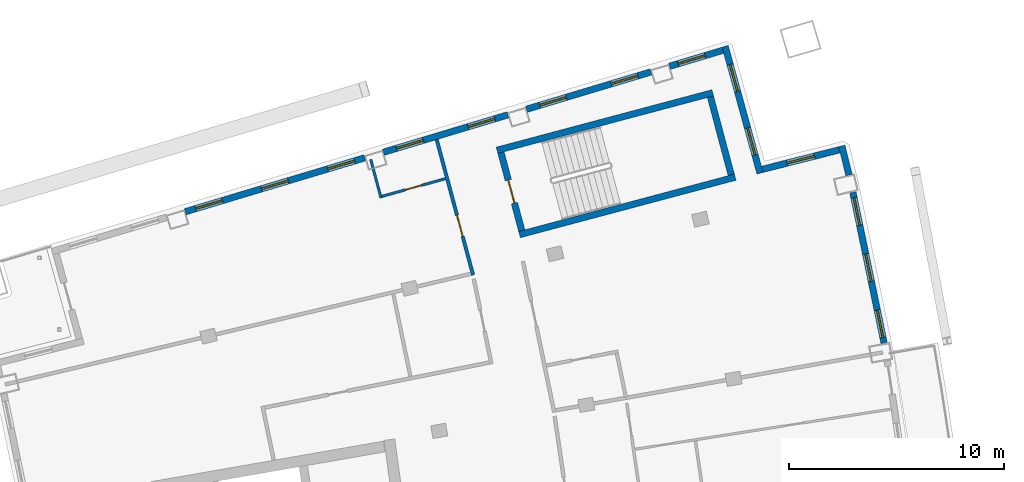
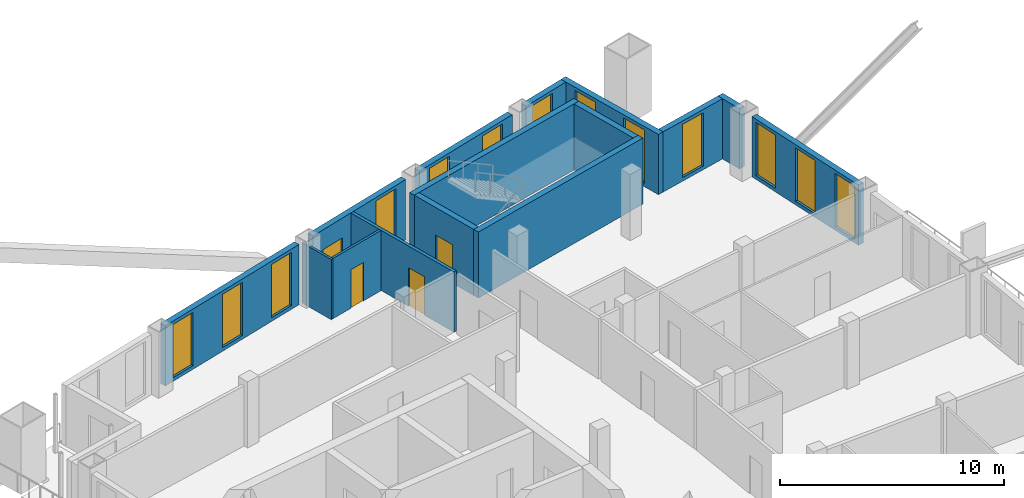
# One storey, part 13 of 17: 15 walls, 14 windows, 3 doors, 17 openings.
"""IFC4 building model written with IfcOpenShell, lengths in metres."""

from ifc_helpers import new_model, si_unit, direction, frame, frame_2d, origin, place, context, subcontext, project, spatial, rectangle, extrude, material, layer, layer_set, type_object, element, fill, save


model = new_model("IFC4")

# Units and contexts
model_context = context("Model", 3, precision=1e-05, world=origin(), true_north=direction((0.0, 1.0)))
body_context = subcontext(model_context, "Body", "Model", "MODEL_VIEW")
ifc_project = project(units=[si_unit("LENGTHUNIT", "METRE"), si_unit("AREAUNIT", "SQUARE_METRE"), si_unit("VOLUMEUNIT", "CUBIC_METRE"), si_unit("PLANEANGLEUNIT", "RADIAN"), si_unit("MASSUNIT", "GRAM", prefix="KILO")], contexts=[model_context])

# Site, building, storey
site_placement = place(None, origin())
site = spatial("IfcSite", under=ifc_project, at=site_placement, CompositionType="ELEMENT")
building_placement = place(site_placement, origin())
building = spatial("IfcBuilding", under=site, at=building_placement, Name="Alderwake Tower", CompositionType="ELEMENT")
storey_placement = place(building_placement, frame((0.0, 0.0, 256.39990234375)))
storey = spatial("IfcBuildingStorey", under=building, at=storey_placement, Name="L63", CompositionType="ELEMENT", Elevation=256.39990234375)

# Walls
ifc_material_1 = material(Name="Concrete C70/85", Category="concrete")
ifc_layer_1 = layer(ifc_material_1, 0.300048828125)
ifc_layer_set_1 = layer_set([ifc_layer_1], Name="Core wall stair enclosure 300 C70-85")
wall_type_1 = type_object("IfcWallType", Name="Core wall stair enclosure 300 C70-85", PredefinedType="SHEAR", material=ifc_layer_set_1)
for number, where, z_axis, x_axis, name in (
    (1, (36.71142578125, 94.182373046875, 0.0), (0.0, 0.0, 1.0), (0.966309214305, 0.257383958996, 0.0), "Core wall CW.082"),
    (2, (37.75390625, 90.268798828125, 0.0), (0.0, 0.0, 1.0), (0.966309214305, 0.257383958996, 0.0), "Core wall CW.084"),
):
    element("IfcWall", number, at=place(storey_placement, frame(where, z_axis=z_axis, x_axis=x_axis)), inside=storey, type_object=wall_type_1, Name=name, PredefinedType="SHEAR", context=body_context, shape_type="SweptSolid", body=[
        extrude(rectangle(XDim=10.360107421875, YDim=0.300048828125, at=frame_2d((5.18017578125, 0.0))), origin(), (0.0, 0.0, 1.0), 3.60009765625),
    ])

# Wall, opening, door
wall_1_placement = place(storey_placement, frame((37.8603515625, 90.452392578125, 0.0), z_axis=(0.0, 0.0, 1.0), x_axis=(-0.257411420208, 0.966301899381, 0.0)))
wall_1 = element("IfcWall", 3, at=wall_1_placement, inside=storey, type_object=wall_type_1, Name="Core wall CW.083", PredefinedType="SHEAR", context=body_context, shape_type="SweptSolid", body=[
    extrude(rectangle(XDim=3.750244140625, YDim=0.300048828125, at=frame_2d((1.875, 0.0))), origin(), (0.0, 0.0, 1.0), 3.60009765625),
])
opening_1_placement = place(wall_1_placement, frame((1.324951171875, 0.0, 0.0)))
opening_1 = element("IfcOpeningElement", 4, at=opening_1_placement, cuts=wall_1, Name="Opening C062", PredefinedType="OPENING", context=body_context, shape_type="SweptSolid", body=[
    extrude(rectangle(XDim=1.10009765625, YDim=2.10009765625, at=frame_2d((0.550048828125, 1.050048828125))), frame((0.0, 0.159912109375, 0.0), z_axis=(0.0, -1.0, 0.0), x_axis=(1.0, 0.0, 0.0)), (0.0, 0.0, 1.0), 0.320068359375),
])
ifc_material_2 = material(Name="Steel-framed fire door leaf", Category="steel")
door_type_1 = type_object("IfcDoorType", Name="Core stair door 1100 fire-rated", OperationType="SINGLE_SWING_LEFT", PredefinedType="DOOR", material=ifc_material_2)
door_1_placement = place(opening_1_placement, origin())
door_1 = element("IfcDoor", 5, at=door_1_placement, inside=storey, type_object=door_type_1, Name="Stair door", OperationType="SINGLE_SWING_LEFT", OverallHeight=2.10009765625, OverallWidth=1.10009765625, PredefinedType="DOOR", context=body_context, shape_type="SweptSolid", body=[
    extrude(rectangle(XDim=1.10009765625, YDim=2.10009765625, at=frame_2d((0.550048828125, 1.050048828125))), frame((0.0, 0.02490234375, 0.0), z_axis=(0.0, -1.0, 0.0), x_axis=(1.0, 0.0, 0.0)), (0.0, 0.0, 1.0), 0.050048828125),
])
fill(opening_1, door_1)

# Wall
wall_2_placement = place(storey_placement, frame((47.581298828125, 93.041748046875, 0.0), z_axis=(0.0, 0.0, 1.0), x_axis=(-0.257366821694, 0.966313778796, 0.0)))
element("IfcWall", 6, at=wall_2_placement, inside=storey, type_object=wall_type_1, Name="Core wall CW.081", PredefinedType="SHEAR", context=body_context, shape_type="SweptSolid", body=[
    extrude(rectangle(XDim=3.749755859375, YDim=0.300048828125, at=frame_2d((1.875, 0.0))), origin(), (0.0, 0.0, 1.0), 3.60009765625),
])

# Wall, opening, door
ifc_material_3 = material(Name="Gypsum board on metal studs, rated")
ifc_layer_2 = layer(ifc_material_3, 0.159912109375)
ifc_layer_set_2 = layer_set([ifc_layer_2], Name="Corridor wall 160")
wall_type_2 = type_object("IfcWallType", Name="Corridor wall 160", PredefinedType="PARTITIONING", material=ifc_layer_set_2)
wall_3_placement = place(storey_placement, frame((35.600830078125, 88.392578125, 0.0), z_axis=(0.0, 0.0, 1.0), x_axis=(-0.259509260101, 0.965740619381, 0.0)))
wall_3 = element("IfcWall", 7, at=wall_3_placement, inside=storey, type_object=wall_type_2, Name="WL/L63/W13", PredefinedType="PARTITIONING", context=body_context, shape_type="SweptSolid", body=[
    extrude(rectangle(XDim=6.50732421875, YDim=0.159912109375, at=frame_2d((3.253662109375, 0.0))), origin(), (0.0, 0.0, 1.0), 3.280029296875),
])
opening_2_placement = place(wall_3_placement, frame((1.865478515625, 0.0, 0.0)))
opening_2 = element("IfcOpeningElement", 8, at=opening_2_placement, cuts=wall_3, Name="Opening R18-U09.1", PredefinedType="OPENING", context=body_context, shape_type="SweptSolid", body=[
    extrude(rectangle(XDim=1.0, YDim=2.10009765625, at=frame_2d((0.5, 1.050048828125))), frame((0.0, 0.08984375, 0.0), z_axis=(0.0, -1.0, 0.0), x_axis=(1.0, 0.0, 0.0)), (0.0, 0.0, 1.0), 0.179931640625),
])
ifc_material_4 = material(Name="Solid timber leaf in steel frame", Category="steel")
door_type_2 = type_object("IfcDoorType", Name="Flat entrance door 1000 fire-rated", OperationType="SINGLE_SWING_LEFT", PredefinedType="DOOR", material=ifc_material_4)
door_2_placement = place(opening_2_placement, origin())
door_2 = element("IfcDoor", 9, at=door_2_placement, inside=storey, type_object=door_type_2, Name="DR/L63/U09.1", OperationType="SINGLE_SWING_LEFT", OverallHeight=2.10009765625, OverallWidth=1.0, PredefinedType="DOOR", context=body_context, shape_type="SweptSolid", body=[
    extrude(rectangle(XDim=1.0, YDim=2.10009765625, at=frame_2d((0.5, 1.050048828125))), frame((0.0, 0.02490234375, 0.0), z_axis=(0.0, -1.0, 0.0), x_axis=(1.0, 0.0, 0.0)), (0.0, 0.0, 1.0), 0.050048828125),
])
fill(opening_2, door_2)

# Wall, openings, windows
ifc_material_5 = material(Name="Precast concrete C50/60 spandrel panel", Category="concrete")
ifc_layer_3 = layer(ifc_material_5, 0.300048828125)
ifc_layer_set_3 = layer_set([ifc_layer_3], Name="External wall EW1 Precast concrete C50/60 spandrel")
wall_type_3 = type_object("IfcWallType", Name="External wall EW1 Precast concrete C50/60 spandrel", PredefinedType="SOLIDWALL", material=ifc_layer_set_3)
wall_4_placement = place(storey_placement, frame((54.67431640625, 85.23974609375, 0.0), z_axis=(0.0, 0.0, 1.0), x_axis=(-0.202780898279, 0.979224135371, 0.0)))
wall_4 = element("IfcWall", 10, at=wall_4_placement, inside=storey, type_object=wall_type_3, Name="External wall 19", PredefinedType="SOLIDWALL", context=body_context, shape_type="SweptSolid", body=[
    extrude(rectangle(XDim=7.13818359375, YDim=0.300048828125, at=frame_2d((3.569091796875, 0.0))), origin(), (0.0, 0.0, 1.0), 3.280029296875),
])
opening_3_placement = place(wall_4_placement, frame((0.263427734375, 0.0, 0.199951171875)))
opening_3 = element("IfcOpeningElement", 11, at=opening_3_placement, cuts=wall_4, Name="Opening W1", PredefinedType="OPENING", context=body_context, shape_type="SweptSolid", body=[
    extrude(rectangle(XDim=1.300048828125, YDim=2.89990234375, at=frame_2d((0.64990234375, 1.449951171875))), frame((0.0, 0.159912109375, 0.0), z_axis=(0.0, -1.0, 0.0), x_axis=(1.0, 0.0, 0.0)), (0.0, 0.0, 1.0), 0.320068359375),
])
opening_4_placement = place(wall_4_placement, frame((2.919189453125, 0.0, 0.199951171875)))
opening_4 = element("IfcOpeningElement", 12, at=opening_4_placement, cuts=wall_4, Name="Opening W1", PredefinedType="OPENING", context=body_context, shape_type="SweptSolid", body=[
    extrude(rectangle(XDim=1.300048828125, YDim=2.89990234375, at=frame_2d((0.64990234375, 1.449951171875))), frame((0.0, 0.159912109375, 0.0), z_axis=(0.0, -1.0, 0.0), x_axis=(1.0, 0.0, 0.0)), (0.0, 0.0, 1.0), 0.320068359375),
])
opening_5_placement = place(wall_4_placement, frame((5.574951171875, 0.0, 0.199951171875)))
opening_5 = element("IfcOpeningElement", 13, at=opening_5_placement, cuts=wall_4, Name="Opening W1", PredefinedType="OPENING", context=body_context, shape_type="SweptSolid", body=[
    extrude(rectangle(XDim=1.300048828125, YDim=2.89990234375, at=frame_2d((0.64990234375, 1.449951171875))), frame((0.0, 0.159912109375, 0.0), z_axis=(0.0, -1.0, 0.0), x_axis=(1.0, 0.0, 0.0)), (0.0, 0.0, 1.0), 0.320068359375),
])
ifc_material_6 = material(Name="Bronze tinted glass in aluminium frame", Category="aluminium")
window_type_1 = type_object("IfcWindowType", Name="Window W1 tall fixed and vent", PartitioningType="DOUBLE_PANEL_VERTICAL", PredefinedType="WINDOW", material=ifc_material_6)
window_1_placement = place(opening_3_placement, origin())
window_1 = element("IfcWindow", 14, at=window_1_placement, inside=storey, type_object=window_type_1, Name="Window W1 tall fixed and vent", OverallHeight=2.89990234375, OverallWidth=1.300048828125, PartitioningType="DOUBLE_PANEL_VERTICAL", PredefinedType="WINDOW", context=body_context, shape_type="SweptSolid", body=[
    extrude(rectangle(XDim=1.300048828125, YDim=2.89990234375, at=frame_2d((0.64990234375, 1.449951171875))), frame((0.0, 0.030029296875, 0.0), z_axis=(0.0, -1.0, 0.0), x_axis=(1.0, 0.0, 0.0)), (0.0, 0.0, 1.0), 0.06005859375),
])
fill(opening_3, window_1)
window_2_placement = place(opening_4_placement, origin())
window_2 = element("IfcWindow", 15, at=window_2_placement, inside=storey, type_object=window_type_1, Name="Window W1 tall fixed and vent", OverallHeight=2.89990234375, OverallWidth=1.300048828125, PartitioningType="DOUBLE_PANEL_VERTICAL", PredefinedType="WINDOW", context=body_context, shape_type="SweptSolid", body=[
    extrude(rectangle(XDim=1.300048828125, YDim=2.89990234375, at=frame_2d((0.64990234375, 1.449951171875))), frame((0.0, 0.030029296875, 0.0), z_axis=(0.0, -1.0, 0.0), x_axis=(1.0, 0.0, 0.0)), (0.0, 0.0, 1.0), 0.06005859375),
])
fill(opening_4, window_2)
window_3_placement = place(opening_5_placement, origin())
window_3 = element("IfcWindow", 16, at=window_3_placement, inside=storey, type_object=window_type_1, Name="Window W1 tall fixed and vent", OverallHeight=2.89990234375, OverallWidth=1.300048828125, PartitioningType="DOUBLE_PANEL_VERTICAL", PredefinedType="WINDOW", context=body_context, shape_type="SweptSolid", body=[
    extrude(rectangle(XDim=1.300048828125, YDim=2.89990234375, at=frame_2d((0.64990234375, 1.449951171875))), frame((0.0, 0.030029296875, 0.0), z_axis=(0.0, -1.0, 0.0), x_axis=(1.0, 0.0, 0.0)), (0.0, 0.0, 1.0), 0.06005859375),
])
fill(opening_5, window_3)

# Wall
wall_5_placement = place(storey_placement, frame((53.044921875, 93.036376953125, 0.0), z_axis=(0.0, 0.0, 1.0), x_axis=(-0.238277778026, 0.971197045145, 0.0)))
element("IfcWall", 17, at=wall_5_placement, inside=storey, type_object=wall_type_3, Name="External wall 20", PredefinedType="SOLIDWALL", context=body_context, shape_type="SweptSolid", body=[
    extrude(rectangle(XDim=1.390380859375, YDim=0.300048828125, at=frame_2d((0.6953125, 0.0))), origin(), (0.0, 0.0, 1.0), 3.280029296875),
])

# Wall, opening, window
ifc_material_7 = material(Name="Bronze metal cladding on lightweight framing")
ifc_layer_4 = layer(ifc_material_7, 0.300048828125)
ifc_layer_set_4 = layer_set([ifc_layer_4], Name="External wall EW2 bronze metal cladding")
wall_type_4 = type_object("IfcWallType", Name="External wall EW2 bronze metal cladding", PredefinedType="SOLIDWALL", material=ifc_layer_set_4)
wall_6_placement = place(storey_placement, frame((52.60400390625, 94.2041015625, 0.0), z_axis=(0.0, 0.0, 1.0), x_axis=(-0.969426922046, -0.245380200529, 0.0)))
wall_6 = element("IfcWall", 18, at=wall_6_placement, inside=storey, type_object=wall_type_4, Name="External wall 21", PredefinedType="SOLIDWALL", context=body_context, shape_type="SweptSolid", body=[
    extrude(rectangle(XDim=3.6943359375, YDim=0.300048828125, at=frame_2d((1.84716796875, 0.0))), origin(), (0.0, 0.0, 1.0), 3.280029296875),
])
opening_6_placement = place(wall_6_placement, frame((1.197021484375, 0.0, 0.199951171875)))
opening_6 = element("IfcOpeningElement", 19, at=opening_6_placement, cuts=wall_6, Name="Opening W1", PredefinedType="OPENING", context=body_context, shape_type="SweptSolid", body=[
    extrude(rectangle(XDim=1.300048828125, YDim=2.89990234375, at=frame_2d((0.64990234375, 1.449951171875))), frame((0.0, 0.159912109375, 0.0), z_axis=(0.0, -1.0, 0.0), x_axis=(1.0, 0.0, 0.0)), (0.0, 0.0, 1.0), 0.320068359375),
])
window_4_placement = place(opening_6_placement, origin())
window_4 = element("IfcWindow", 20, at=window_4_placement, inside=storey, type_object=window_type_1, Name="Window W1 tall fixed and vent", OverallHeight=2.89990234375, OverallWidth=1.300048828125, PartitioningType="DOUBLE_PANEL_VERTICAL", PredefinedType="WINDOW", context=body_context, shape_type="SweptSolid", body=[
    extrude(rectangle(XDim=1.300048828125, YDim=2.89990234375, at=frame_2d((0.64990234375, 1.449951171875))), frame((0.0, 0.030029296875, 0.0), z_axis=(0.0, -1.0, 0.0), x_axis=(1.0, 0.0, 0.0)), (0.0, 0.0, 1.0), 0.06005859375),
])
fill(opening_6, window_4)

# Wall, openings, windows
wall_7_placement = place(storey_placement, frame((48.9169921875, 93.1162109375, 0.0), z_axis=(0.0, 0.0, 1.0), x_axis=(-0.265084063533, 0.964225305238, 0.0)))
wall_7 = element("IfcWall", 21, at=wall_7_placement, inside=storey, type_object=wall_type_4, Name="External wall 22", PredefinedType="SOLIDWALL", context=body_context, shape_type="SweptSolid", body=[
    extrude(rectangle(XDim=6.11181640625, YDim=0.300048828125, at=frame_2d((3.055908203125, 0.0))), origin(), (0.0, 0.0, 1.0), 3.280029296875),
])
opening_7_placement = place(wall_7_placement, frame((0.8779296875, 0.0, 0.199951171875)))
opening_7 = element("IfcOpeningElement", 22, at=opening_7_placement, cuts=wall_7, Name="Opening W1", PredefinedType="OPENING", context=body_context, shape_type="SweptSolid", body=[
    extrude(rectangle(XDim=1.300048828125, YDim=2.89990234375, at=frame_2d((0.64990234375, 1.449951171875))), frame((0.0, 0.159912109375, 0.0), z_axis=(0.0, -1.0, 0.0), x_axis=(1.0, 0.0, 0.0)), (0.0, 0.0, 1.0), 0.320068359375),
])
opening_8_placement = place(wall_7_placement, frame((3.933837890625, 0.0, 0.199951171875)))
opening_8 = element("IfcOpeningElement", 23, at=opening_8_placement, cuts=wall_7, Name="Opening W1", PredefinedType="OPENING", context=body_context, shape_type="SweptSolid", body=[
    extrude(rectangle(XDim=1.300048828125, YDim=2.89990234375, at=frame_2d((0.64990234375, 1.449951171875))), frame((0.0, 0.159912109375, 0.0), z_axis=(0.0, -1.0, 0.0), x_axis=(1.0, 0.0, 0.0)), (0.0, 0.0, 1.0), 0.320068359375),
])
window_5_placement = place(opening_7_placement, origin())
window_5 = element("IfcWindow", 24, at=window_5_placement, inside=storey, type_object=window_type_1, Name="Window W1 tall fixed and vent", OverallHeight=2.89990234375, OverallWidth=1.300048828125, PartitioningType="DOUBLE_PANEL_VERTICAL", PredefinedType="WINDOW", context=body_context, shape_type="SweptSolid", body=[
    extrude(rectangle(XDim=1.300048828125, YDim=2.89990234375, at=frame_2d((0.64990234375, 1.449951171875))), frame((0.0, 0.030029296875, 0.0), z_axis=(0.0, -1.0, 0.0), x_axis=(1.0, 0.0, 0.0)), (0.0, 0.0, 1.0), 0.06005859375),
])
fill(opening_7, window_5)
window_6_placement = place(opening_8_placement, origin())
window_6 = element("IfcWindow", 25, at=window_6_placement, inside=storey, type_object=window_type_1, Name="Window W1 tall fixed and vent", OverallHeight=2.89990234375, OverallWidth=1.300048828125, PartitioningType="DOUBLE_PANEL_VERTICAL", PredefinedType="WINDOW", context=body_context, shape_type="SweptSolid", body=[
    extrude(rectangle(XDim=1.300048828125, YDim=2.89990234375, at=frame_2d((0.64990234375, 1.449951171875))), frame((0.0, 0.030029296875, 0.0), z_axis=(0.0, -1.0, 0.0), x_axis=(1.0, 0.0, 0.0)), (0.0, 0.0, 1.0), 0.06005859375),
])
fill(opening_8, window_6)

# Wall, opening, window
wall_8_placement = place(storey_placement, frame((47.193115234375, 98.821533203125, 0.0), z_axis=(0.0, 0.0, 1.0), x_axis=(-0.957774173121, -0.28752153537, 0.0)))
wall_8 = element("IfcWall", 26, at=wall_8_placement, inside=storey, type_object=wall_type_4, Name="External wall 23", PredefinedType="SOLIDWALL", context=body_context, shape_type="SweptSolid", body=[
    extrude(rectangle(XDim=2.57958984375, YDim=0.300048828125, at=frame_2d((1.289794921875, 0.0))), origin(), (0.0, 0.0, 1.0), 3.280029296875),
])
opening_9_placement = place(wall_8_placement, frame((0.865478515625, 0.0, 0.199951171875)))
opening_9 = element("IfcOpeningElement", 27, at=opening_9_placement, cuts=wall_8, Name="Opening W1", PredefinedType="OPENING", context=body_context, shape_type="SweptSolid", body=[
    extrude(rectangle(XDim=1.300048828125, YDim=2.89990234375, at=frame_2d((0.64990234375, 1.449951171875))), frame((0.0, 0.159912109375, 0.0), z_axis=(0.0, -1.0, 0.0), x_axis=(1.0, 0.0, 0.0)), (0.0, 0.0, 1.0), 0.320068359375),
])
window_7_placement = place(opening_9_placement, origin())
window_7 = element("IfcWindow", 28, at=window_7_placement, inside=storey, type_object=window_type_1, Name="Window W1 tall fixed and vent", OverallHeight=2.89990234375, OverallWidth=1.300048828125, PartitioningType="DOUBLE_PANEL_VERTICAL", PredefinedType="WINDOW", context=body_context, shape_type="SweptSolid", body=[
    extrude(rectangle(XDim=1.300048828125, YDim=2.89990234375, at=frame_2d((0.64990234375, 1.449951171875))), frame((0.0, 0.030029296875, 0.0), z_axis=(0.0, -1.0, 0.0), x_axis=(1.0, 0.0, 0.0)), (0.0, 0.0, 1.0), 0.06005859375),
])
fill(opening_9, window_7)

# Wall, openings, windows
wall_9_placement = place(storey_placement, frame((43.857177734375, 97.820068359375, 0.0), z_axis=(0.0, 0.0, 1.0), x_axis=(-0.957771667866, -0.287529880593, 0.0)))
wall_9 = element("IfcWall", 29, at=wall_9_placement, inside=storey, type_object=wall_type_4, Name="External wall 24", PredefinedType="SOLIDWALL", context=body_context, shape_type="SweptSolid", body=[
    extrude(rectangle(XDim=6.0302734375, YDim=0.300048828125, at=frame_2d((3.01513671875, 0.0))), origin(), (0.0, 0.0, 1.0), 3.280029296875),
])
opening_10_placement = place(wall_9_placement, frame((0.6318359375, 0.0, 0.199951171875)))
opening_10 = element("IfcOpeningElement", 30, at=opening_10_placement, cuts=wall_9, Name="Opening W1", PredefinedType="OPENING", context=body_context, shape_type="SweptSolid", body=[
    extrude(rectangle(XDim=1.300048828125, YDim=2.89990234375, at=frame_2d((0.64990234375, 1.449951171875))), frame((0.0, 0.159912109375, 0.0), z_axis=(0.0, -1.0, 0.0), x_axis=(1.0, 0.0, 0.0)), (0.0, 0.0, 1.0), 0.320068359375),
])
opening_11_placement = place(wall_9_placement, frame((4.098388671875, 0.0, 0.199951171875)))
opening_11 = element("IfcOpeningElement", 31, at=opening_11_placement, cuts=wall_9, Name="Opening W1", PredefinedType="OPENING", context=body_context, shape_type="SweptSolid", body=[
    extrude(rectangle(XDim=1.300048828125, YDim=2.89990234375, at=frame_2d((0.64990234375, 1.449951171875))), frame((0.0, 0.159912109375, 0.0), z_axis=(0.0, -1.0, 0.0), x_axis=(1.0, 0.0, 0.0)), (0.0, 0.0, 1.0), 0.320068359375),
])
window_8_placement = place(opening_10_placement, origin())
window_8 = element("IfcWindow", 32, at=window_8_placement, inside=storey, type_object=window_type_1, Name="Window W1 tall fixed and vent", OverallHeight=2.89990234375, OverallWidth=1.300048828125, PartitioningType="DOUBLE_PANEL_VERTICAL", PredefinedType="WINDOW", context=body_context, shape_type="SweptSolid", body=[
    extrude(rectangle(XDim=1.300048828125, YDim=2.89990234375, at=frame_2d((0.64990234375, 1.449951171875))), frame((0.0, 0.030029296875, 0.0), z_axis=(0.0, -1.0, 0.0), x_axis=(1.0, 0.0, 0.0)), (0.0, 0.0, 1.0), 0.06005859375),
])
fill(opening_10, window_8)
window_9_placement = place(opening_11_placement, origin())
window_9 = element("IfcWindow", 33, at=window_9_placement, inside=storey, type_object=window_type_1, Name="Window W1 tall fixed and vent", OverallHeight=2.89990234375, OverallWidth=1.300048828125, PartitioningType="DOUBLE_PANEL_VERTICAL", PredefinedType="WINDOW", context=body_context, shape_type="SweptSolid", body=[
    extrude(rectangle(XDim=1.300048828125, YDim=2.89990234375, at=frame_2d((0.64990234375, 1.449951171875))), frame((0.0, 0.030029296875, 0.0), z_axis=(0.0, -1.0, 0.0), x_axis=(1.0, 0.0, 0.0)), (0.0, 0.0, 1.0), 0.06005859375),
])
fill(opening_11, window_9)

wall_10_placement = place(storey_placement, frame((37.21630859375, 95.826416015625, 0.0), z_axis=(0.0, 0.0, 1.0), x_axis=(-0.957753821359, -0.287589321205, 0.0)))
wall_10 = element("IfcWall", 34, at=wall_10_placement, inside=storey, type_object=wall_type_4, Name="External wall 25", PredefinedType="SOLIDWALL", context=body_context, shape_type="SweptSolid", body=[
    extrude(rectangle(XDim=6.02978515625, YDim=0.300048828125, at=frame_2d((3.014892578125, 0.0))), origin(), (0.0, 0.0, 1.0), 3.280029296875),
])
opening_12_placement = place(wall_10_placement, frame((0.631591796875, 0.0, 0.199951171875)))
opening_12 = element("IfcOpeningElement", 35, at=opening_12_placement, cuts=wall_10, Name="Opening W1", PredefinedType="OPENING", context=body_context, shape_type="SweptSolid", body=[
    extrude(rectangle(XDim=1.300048828125, YDim=2.89990234375, at=frame_2d((0.64990234375, 1.449951171875))), frame((0.0, 0.159912109375, 0.0), z_axis=(0.0, -1.0, 0.0), x_axis=(1.0, 0.0, 0.0)), (0.0, 0.0, 1.0), 0.320068359375),
])
opening_13_placement = place(wall_10_placement, frame((4.098388671875, 0.0, 1.0)))
opening_13 = element("IfcOpeningElement", 36, at=opening_13_placement, cuts=wall_10, Name="Opening W2", PredefinedType="OPENING", context=body_context, shape_type="SweptSolid", body=[
    extrude(rectangle(XDim=1.300048828125, YDim=1.199951171875, at=frame_2d((0.64990234375, 0.60009765625))), frame((0.0, 0.159912109375, 0.0), z_axis=(0.0, -1.0, 0.0), x_axis=(1.0, 0.0, 0.0)), (0.0, 0.0, 1.0), 0.320068359375),
])
window_10_placement = place(opening_12_placement, origin())
window_10 = element("IfcWindow", 37, at=window_10_placement, inside=storey, type_object=window_type_1, Name="Window W1 tall fixed and vent", OverallHeight=2.89990234375, OverallWidth=1.300048828125, PartitioningType="DOUBLE_PANEL_VERTICAL", PredefinedType="WINDOW", context=body_context, shape_type="SweptSolid", body=[
    extrude(rectangle(XDim=1.300048828125, YDim=2.89990234375, at=frame_2d((0.64990234375, 1.449951171875))), frame((0.0, 0.030029296875, 0.0), z_axis=(0.0, -1.0, 0.0), x_axis=(1.0, 0.0, 0.0)), (0.0, 0.0, 1.0), 0.06005859375),
])
fill(opening_12, window_10)
ifc_material_8 = material(Name="Bronze tinted glass in aluminium frame", Category="aluminium")
window_type_2 = type_object("IfcWindowType", Name="Window W2 kitchen and bath", PartitioningType="SINGLE_PANEL", PredefinedType="WINDOW", material=ifc_material_8)
window_11_placement = place(opening_13_placement, origin())
window_11 = element("IfcWindow", 38, at=window_11_placement, inside=storey, type_object=window_type_2, Name="Window W2 kitchen and bath", OverallHeight=1.199951171875, OverallWidth=1.300048828125, PartitioningType="SINGLE_PANEL", PredefinedType="WINDOW", context=body_context, shape_type="SweptSolid", body=[
    extrude(rectangle(XDim=1.300048828125, YDim=1.199951171875, at=frame_2d((0.64990234375, 0.60009765625))), frame((0.0, 0.030029296875, 0.0), z_axis=(0.0, -1.0, 0.0), x_axis=(1.0, 0.0, 0.0)), (0.0, 0.0, 1.0), 0.06005859375),
])
fill(opening_13, window_11)

wall_11_placement = place(storey_placement, frame((30.57568359375, 93.83251953125, 0.0), z_axis=(0.0, 0.0, 1.0), x_axis=(-0.957762902908, -0.287559075345, 0.0)))
wall_11 = element("IfcWall", 39, at=wall_11_placement, inside=storey, type_object=wall_type_4, Name="External wall 26", PredefinedType="SOLIDWALL", context=body_context, shape_type="SweptSolid", body=[
    extrude(rectangle(XDim=8.696533203125, YDim=0.300048828125, at=frame_2d((4.34814453125, 0.0))), origin(), (0.0, 0.0, 1.0), 3.280029296875),
])
opening_14_placement = place(wall_11_placement, frame((0.498291015625, 0.0, 0.199951171875)))
opening_14 = element("IfcOpeningElement", 40, at=opening_14_placement, cuts=wall_11, Name="Opening W1", PredefinedType="OPENING", context=body_context, shape_type="SweptSolid", body=[
    extrude(rectangle(XDim=1.300048828125, YDim=2.89990234375, at=frame_2d((0.64990234375, 1.449951171875))), frame((0.0, 0.159912109375, 0.0), z_axis=(0.0, -1.0, 0.0), x_axis=(1.0, 0.0, 0.0)), (0.0, 0.0, 1.0), 0.320068359375),
])
opening_15_placement = place(wall_11_placement, frame((3.6982421875, 0.0, 0.199951171875)))
opening_15 = element("IfcOpeningElement", 41, at=opening_15_placement, cuts=wall_11, Name="Opening W1", PredefinedType="OPENING", context=body_context, shape_type="SweptSolid", body=[
    extrude(rectangle(XDim=1.300048828125, YDim=2.89990234375, at=frame_2d((0.64990234375, 1.449951171875))), frame((0.0, 0.159912109375, 0.0), z_axis=(0.0, -1.0, 0.0), x_axis=(1.0, 0.0, 0.0)), (0.0, 0.0, 1.0), 0.320068359375),
])
opening_16_placement = place(wall_11_placement, frame((6.898193359375, 0.0, 0.199951171875)))
opening_16 = element("IfcOpeningElement", 42, at=opening_16_placement, cuts=wall_11, Name="Opening W1", PredefinedType="OPENING", context=body_context, shape_type="SweptSolid", body=[
    extrude(rectangle(XDim=1.300048828125, YDim=2.89990234375, at=frame_2d((0.64990234375, 1.449951171875))), frame((0.0, 0.159912109375, 0.0), z_axis=(0.0, -1.0, 0.0), x_axis=(1.0, 0.0, 0.0)), (0.0, 0.0, 1.0), 0.320068359375),
])
window_12_placement = place(opening_14_placement, origin())
window_12 = element("IfcWindow", 43, at=window_12_placement, inside=storey, type_object=window_type_1, Name="Window W1 tall fixed and vent", OverallHeight=2.89990234375, OverallWidth=1.300048828125, PartitioningType="DOUBLE_PANEL_VERTICAL", PredefinedType="WINDOW", context=body_context, shape_type="SweptSolid", body=[
    extrude(rectangle(XDim=1.300048828125, YDim=2.89990234375, at=frame_2d((0.64990234375, 1.449951171875))), frame((0.0, 0.030029296875, 0.0), z_axis=(0.0, -1.0, 0.0), x_axis=(1.0, 0.0, 0.0)), (0.0, 0.0, 1.0), 0.06005859375),
])
fill(opening_14, window_12)
window_13_placement = place(opening_15_placement, origin())
window_13 = element("IfcWindow", 44, at=window_13_placement, inside=storey, type_object=window_type_1, Name="Window W1 tall fixed and vent", OverallHeight=2.89990234375, OverallWidth=1.300048828125, PartitioningType="DOUBLE_PANEL_VERTICAL", PredefinedType="WINDOW", context=body_context, shape_type="SweptSolid", body=[
    extrude(rectangle(XDim=1.300048828125, YDim=2.89990234375, at=frame_2d((0.64990234375, 1.449951171875))), frame((0.0, 0.030029296875, 0.0), z_axis=(0.0, -1.0, 0.0), x_axis=(1.0, 0.0, 0.0)), (0.0, 0.0, 1.0), 0.06005859375),
])
fill(opening_15, window_13)
window_14_placement = place(opening_16_placement, origin())
window_14 = element("IfcWindow", 45, at=window_14_placement, inside=storey, type_object=window_type_1, Name="Window W1 tall fixed and vent", OverallHeight=2.89990234375, OverallWidth=1.300048828125, PartitioningType="DOUBLE_PANEL_VERTICAL", PredefinedType="WINDOW", context=body_context, shape_type="SweptSolid", body=[
    extrude(rectangle(XDim=1.300048828125, YDim=2.89990234375, at=frame_2d((0.64990234375, 1.449951171875))), frame((0.0, 0.030029296875, 0.0), z_axis=(0.0, -1.0, 0.0), x_axis=(1.0, 0.0, 0.0)), (0.0, 0.0, 1.0), 0.06005859375),
])
fill(opening_16, window_14)

# Wall
ifc_material_9 = material(Name="Moisture resistant gypsum board on metal studs")
ifc_layer_5 = layer(ifc_material_9, 0.1201171875)
ifc_layer_set_5 = layer_set([ifc_layer_5], Name="Wet room partition 120")
wall_type_5 = type_object("IfcWallType", Name="Wet room partition 120", PredefinedType="PARTITIONING", material=ifc_layer_set_5)
wall_12_placement = place(storey_placement, frame((30.84912109375, 93.759033203125, 0.0), z_axis=(0.0, 0.0, 1.0), x_axis=(0.259401464702, -0.965769579201, 0.0)))
element("IfcWall", 46, at=wall_12_placement, inside=storey, type_object=wall_type_5, Name="WL/L63/W28", PredefinedType="PARTITIONING", context=body_context, shape_type="SweptSolid", body=[
    extrude(rectangle(XDim=1.852294921875, YDim=0.1201171875, at=frame_2d((0.92626953125, 0.0))), origin(), (0.0, 0.0, 1.0), 3.280029296875),
])

# Wall, opening, door
wall_13_placement = place(storey_placement, frame((31.371826171875, 92.044189453125, 0.0), z_axis=(0.0, 0.0, 1.0), x_axis=(0.963351881246, 0.268240848677, 0.0)))
wall_13 = element("IfcWall", 47, at=wall_13_placement, inside=storey, type_object=wall_type_5, Name="WL/L63/W29", PredefinedType="PARTITIONING", context=body_context, shape_type="SweptSolid", body=[
    extrude(rectangle(XDim=3.05810546875, YDim=0.1201171875, at=frame_2d((1.529052734375, 0.0))), origin(), (0.0, 0.0, 1.0), 3.280029296875),
])
opening_17_placement = place(wall_13_placement, frame((1.129150390625, 0.0, 0.0)))
opening_17 = element("IfcOpeningElement", 48, at=opening_17_placement, cuts=wall_13, Name="Opening R18-U09.2", PredefinedType="OPENING", context=body_context, shape_type="SweptSolid", body=[
    extrude(rectangle(XDim=0.800048828125, YDim=2.10009765625, at=frame_2d((0.39990234375, 1.050048828125))), frame((0.0, 0.070068359375, 0.0), z_axis=(0.0, -1.0, 0.0), x_axis=(1.0, 0.0, 0.0)), (0.0, 0.0, 1.0), 0.14013671875),
])
ifc_material_10 = material(Name="Painted timber leaf", Category="wood")
door_type_3 = type_object("IfcDoorType", Name="Bathroom door 800", OperationType="SINGLE_SWING_LEFT", PredefinedType="DOOR", material=ifc_material_10)
door_3_placement = place(opening_17_placement, origin())
door_3 = element("IfcDoor", 49, at=door_3_placement, inside=storey, type_object=door_type_3, Name="DR/L63/U09.2", OperationType="SINGLE_SWING_LEFT", OverallHeight=2.10009765625, OverallWidth=0.800048828125, PredefinedType="DOOR", context=body_context, shape_type="SweptSolid", body=[
    extrude(rectangle(XDim=0.800048828125, YDim=2.10009765625, at=frame_2d((0.39990234375, 1.050048828125))), frame((0.0, 0.02490234375, 0.0), z_axis=(0.0, -1.0, 0.0), x_axis=(1.0, 0.0, 0.0)), (0.0, 0.0, 1.0), 0.050048828125),
])
fill(opening_17, door_3)

save(model, "model.ifc")
